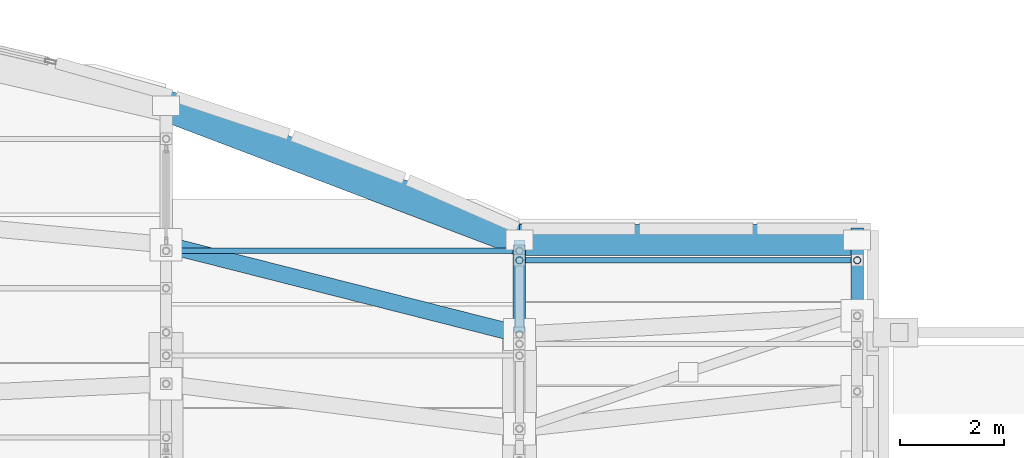
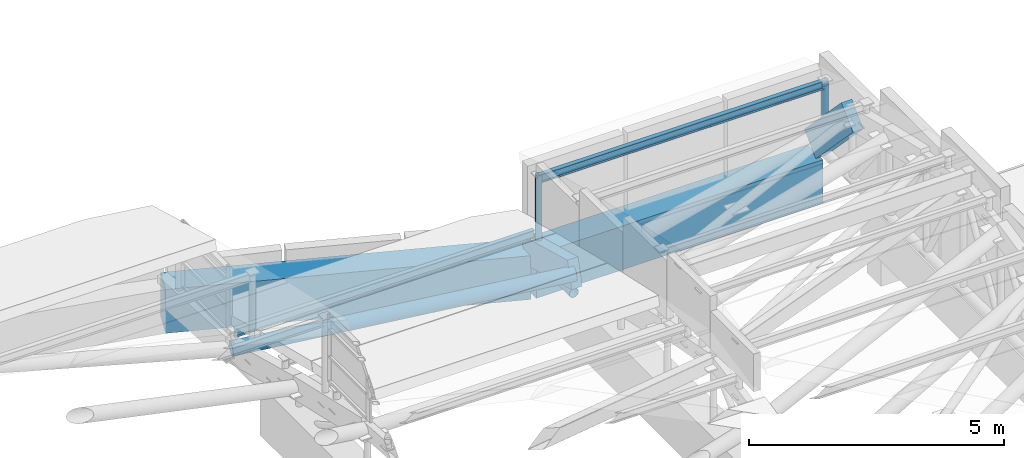
# One storey, part 109 of 188: 8 members, 2 beams.
"""IFC4 building model written with IfcOpenShell, lengths in metres."""

from ifc_helpers import new_model, si_unit, direction, frame, origin, origin_2d, place, context, subcontext, project, spatial, rectangle, hollow_circle, i_section, extrude, material, material_profile, profile_set, type_object, element, save


model = new_model("IFC4")

# Units and contexts
model_context = context("Model", 3, precision=1e-05, world=origin(), true_north=direction((0.0, 1.0)))
body_context = subcontext(model_context, "Body", "Model", "MODEL_VIEW")
ifc_project = project(units=[si_unit("LENGTHUNIT", "METRE"), si_unit("AREAUNIT", "SQUARE_METRE"), si_unit("VOLUMEUNIT", "CUBIC_METRE"), si_unit("PLANEANGLEUNIT", "RADIAN"), si_unit("MASSUNIT", "GRAM", prefix="KILO")], contexts=[model_context])

# Site, building, storey
site_placement = place(None, origin())
site = spatial("IfcSite", under=ifc_project, at=site_placement, CompositionType="ELEMENT")
building_placement = place(site_placement, origin())
building = spatial("IfcBuilding", under=site, at=building_placement, Name="Kisaragi Civic Commons", CompositionType="ELEMENT")
storey_placement = place(building_placement, frame((0.0, 0.0, 9.60009765625)))
storey = spatial("IfcBuildingStorey", under=building, at=storey_placement, Name="L02", CompositionType="ELEMENT", Elevation=9.60009765625)

# Beams
ifc_material_1 = material(Name="Concrete Fc36", Category="concrete")
ifc_material_profile_1 = material_profile(ifc_material_1, rectangle(XDim=0.60009765625, YDim=1.050048828125, at=origin_2d()), Name="RC-600x1050", Category="concrete")
ifc_profile_set_1 = profile_set([ifc_material_profile_1], Name="Concrete Fc36")
beam_type = type_object("IfcBeamType", Name="G-06", PredefinedType="BEAM", material=ifc_profile_set_1)
beam_1_placement = place(storey_placement, frame((47.60009765625, 113.3798828125, -0.84521484375), z_axis=(1.0, 0.0, 0.0), x_axis=(0.0, 1.0, 0.0)))
element("IfcBeam", 1, at=beam_1_placement, inside=storey, type_object=beam_type, Name="L02 girder G-06 270", PredefinedType="BEAM", context=body_context, shape_type="SweptSolid", body=[
    extrude(rectangle(XDim=0.60009765625, YDim=1.050048828125, at=origin_2d()), origin(), (0.0, 0.0, 1.0), 6.5),
])
beam_2_placement = place(storey_placement, frame((47.60009765625, 113.3798828125, -0.84521484375), z_axis=(-0.934773996424, 0.355242981084, 0.0), x_axis=(-0.355242981084, -0.934773996424, 0.0)))
element("IfcBeam", 2, at=beam_2_placement, inside=storey, type_object=beam_type, Name="L02 curved spandrel/ring girder G-06 282", PredefinedType="BEAM", context=body_context, shape_type="SweptSolid", body=[
    extrude(rectangle(XDim=0.60009765625, YDim=1.050048828125, at=origin_2d()), origin(), (0.0, 0.0, 1.0), 7.274658203125),
])

# Members
ifc_material_2 = material(Name="Steel SN490 (SN490B)", Category="steel")
ifc_material_profile_2 = material_profile(ifc_material_2, hollow_circle(Radius=0.1591796875, WallThickness=0.01025390625, at=origin_2d()), Name="CHS-318.5x10.3", Category="steel")
ifc_profile_set_2 = profile_set([ifc_material_profile_2], Name="Steel SN490 (SN490B)")
member_type_1 = type_object("IfcMemberType", Name="GC-03", PredefinedType="CHORD", material=ifc_profile_set_2)
member_1_placement = place(storey_placement, frame((40.800048828125, 113.289306640625, -0.318115234375), z_axis=(0.967119383037, -0.24538228126, 0.066840369524), x_axis=(0.245932264023, 0.969287017097, 0.0)))
element("IfcMember", 3, at=member_1_placement, inside=storey, type_object=member_type_1, Name="V2 wave gridshell chord GC-03 49", PredefinedType="CHORD", context=body_context, shape_type="SweptSolid", body=[
    extrude(hollow_circle(Radius=0.1591796875, WallThickness=0.01025390625, at=origin_2d()), origin(), (0.0, 0.0, 1.0), 7.03125),
])
ifc_material_3 = material(Name="Glulam E120-F330", Category="wood")
ifc_material_profile_3 = material_profile(ifc_material_3, rectangle(XDim=0.239990234375, YDim=0.6298828125, at=origin_2d()), Name="GL-240x630", Category="wood")
ifc_profile_set_3 = profile_set([ifc_material_profile_3], Name="Glulam E120-F330")
member_type_2 = type_object("IfcMemberType", Name="GR-03", PredefinedType="RAFTER", material=ifc_profile_set_3)
member_2_placement = place(storey_placement, frame((47.60009765625, 111.56396484375, 0.15185546875), z_axis=(0.0, 0.964781778814, -0.263051552492), x_axis=(-1.0, 0.0, 0.0)))
element("IfcMember", 4, at=member_2_placement, inside=storey, type_object=member_type_2, Name="V2 glulam arch rib GR-03 64", PredefinedType="RAFTER", context=body_context, shape_type="SweptSolid", body=[
    extrude(rectangle(XDim=0.239990234375, YDim=0.6298828125, at=origin_2d()), origin(), (0.0, 0.0, 1.0), 1.88232421875),
])
member_3_placement = place(storey_placement, frame((54.10009765625, 111.922607421875, 1.437744140625), z_axis=(0.0, 0.692572886206, -0.72134790309), x_axis=(-1.0, 0.0, 0.0)))
element("IfcMember", 5, at=member_3_placement, inside=storey, type_object=member_type_2, Name="V2 glulam arch rib GR-03 72", PredefinedType="RAFTER", context=body_context, shape_type="SweptSolid", body=[
    extrude(rectangle(XDim=0.239990234375, YDim=0.6298828125, at=origin_2d()), origin(), (0.0, 0.0, 1.0), 2.104248046875),
])
ifc_material_4 = material(Name="Steel SN400 (SN400B)", Category="steel")
ifc_material_profile_4 = material_profile(ifc_material_4, i_section(OverallWidth=0.10009765625, OverallDepth=0.199951171875, WebThickness=0.005615234375, FlangeThickness=0.008056640625, FilletRadius=0.008056640625, at=origin_2d()), Name="H-200x100x5.5x8", Category="steel")
ifc_profile_set_4 = profile_set([ifc_material_profile_4], Name="Steel SN400 (SN400B)")
member_type_3 = type_object("IfcMemberType", Name="PR-02", PredefinedType="PURLIN", material=ifc_profile_set_4)
member_4_placement = place(storey_placement, frame((40.800048828125, 113.172119140625, 0.138671875), z_axis=(1.0, 0.0, 0.0), x_axis=(0.0, 1.0, 0.0)))
element("IfcMember", 6, at=member_4_placement, inside=storey, type_object=member_type_3, Name="V2 wave vault steel purlin 55", PredefinedType="PURLIN", context=body_context, shape_type="SweptSolid", body=[
    extrude(i_section(OverallWidth=0.10009765625, OverallDepth=0.199951171875, WebThickness=0.005615234375, FlangeThickness=0.008056640625, FilletRadius=0.008056640625, at=origin_2d()), origin(), (0.0, 0.0, 1.0), 6.800048828125),
])
member_5_placement = place(storey_placement, frame((47.60009765625, 112.989501953125, 1.566162109375), z_axis=(1.0, 0.0, 0.0), x_axis=(0.0, 1.0, 0.0)))
element("IfcMember", 7, at=member_5_placement, inside=storey, type_object=member_type_3, Name="V2 wave vault steel purlin 61", PredefinedType="PURLIN", context=body_context, shape_type="SweptSolid", body=[
    extrude(i_section(OverallWidth=0.10009765625, OverallDepth=0.199951171875, WebThickness=0.005615234375, FlangeThickness=0.008056640625, FilletRadius=0.008056640625, at=origin_2d()), origin(), (0.0, 0.0, 1.0), 6.5),
])
ifc_material_profile_5 = material_profile(ifc_material_2, hollow_circle(Radius=0.06982421875, WallThickness=0.006103515625, at=origin_2d()), Name="CHS-139.8x6.0", Category="steel")
ifc_profile_set_5 = profile_set([ifc_material_profile_5], Name="Steel SN490 (SN490B)")
member_type_4 = type_object("IfcMemberType", Name="ST-H1", PredefinedType="STRUT", material=ifc_profile_set_5)
member_6_placement = place(storey_placement, frame((47.60009765625, 112.989501953125, -0.23681640625), z_axis=(0.0, 0.0, 1.0), x_axis=(1.0, 0.0, 0.0)))
element("IfcMember", 8, at=member_6_placement, inside=storey, type_object=member_type_4, Name="V2 clerestory monitor horizontal tie strut 8.7.8", PredefinedType="STRUT", context=body_context, shape_type="SweptSolid", body=[
    extrude(hollow_circle(Radius=0.06982421875, WallThickness=0.006103515625, at=origin_2d()), origin(), (0.0, 0.0, 1.0), 1.90283203125),
])
member_7_placement = place(storey_placement, frame((54.10009765625, 112.989501953125, 0.326416015625), z_axis=(0.0, 0.0, 1.0), x_axis=(1.0, 0.0, 0.0)))
element("IfcMember", 9, at=member_7_placement, inside=storey, type_object=member_type_4, Name="V2 clerestory monitor horizontal tie strut 8.8.8", PredefinedType="STRUT", context=body_context, shape_type="SweptSolid", body=[
    extrude(hollow_circle(Radius=0.06982421875, WallThickness=0.006103515625, at=origin_2d()), origin(), (0.0, 0.0, 1.0), 1.339599609375),
])
ifc_material_profile_6 = material_profile(ifc_material_2, hollow_circle(Radius=0.108154296875, WallThickness=0.008056640625, at=origin_2d()), Name="CHS-216.3x8.0", Category="steel")
ifc_profile_set_6 = profile_set([ifc_material_profile_6], Name="Steel SN490 (SN490B)")
member_type_5 = type_object("IfcMemberType", Name="ST-T2", PredefinedType="STRUT", material=ifc_profile_set_6)
member_8_placement = place(storey_placement, frame((47.60009765625, 111.60009765625, -0.34326171875), z_axis=(0.0, 1.0, 0.0), x_axis=(-1.0, 0.0, 0.0)))
element("IfcMember", 10, at=member_8_placement, inside=storey, type_object=member_type_5, Name="V2 arch tension tie ST-T2 98", PredefinedType="STRUT", context=body_context, shape_type="SweptSolid", body=[
    extrude(hollow_circle(Radius=0.108154296875, WallThickness=0.008056640625, at=origin_2d()), origin(), (0.0, 0.0, 1.0), 1.77978515625),
])

save(model, "model.ifc")
